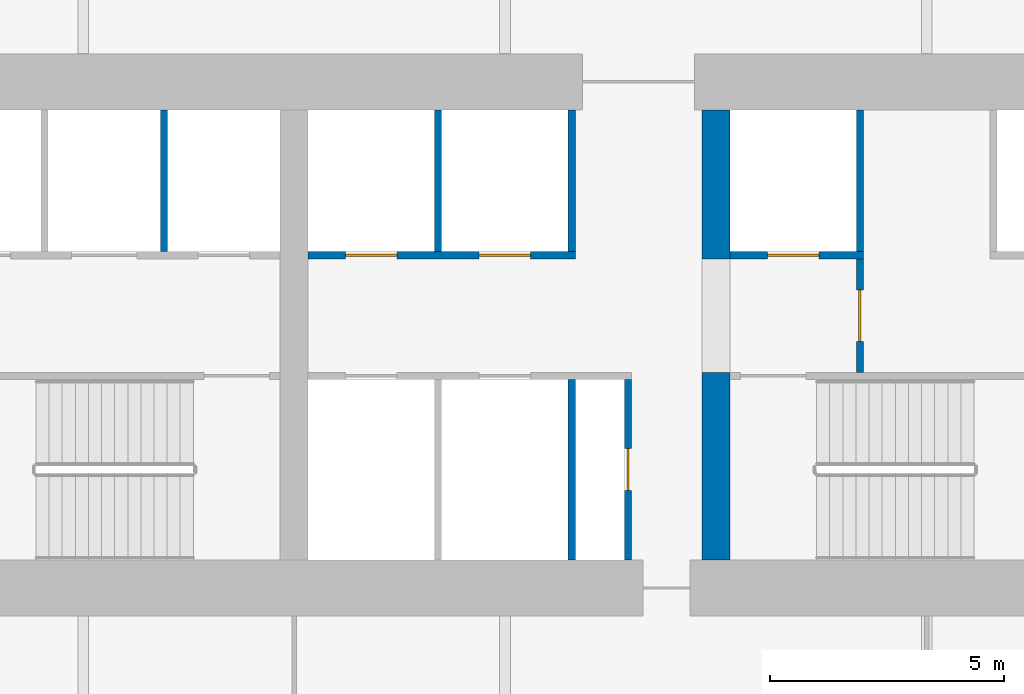
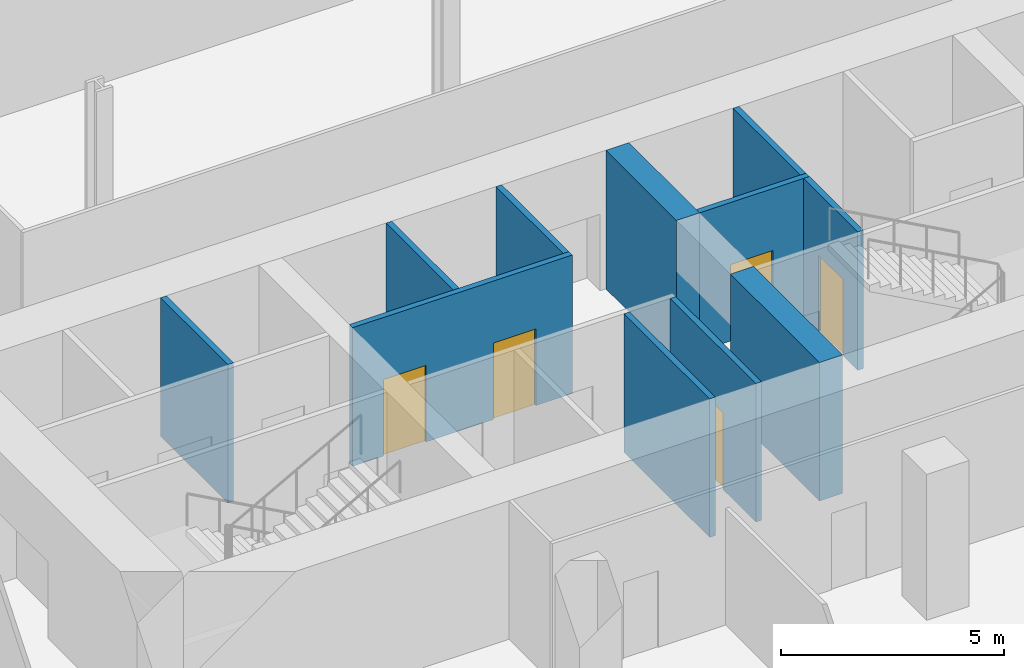
# One storey, part 4 of 15: 11 walls, 5 doors, 5 openings.
"""IFC4 building model written with IfcOpenShell, lengths in metres."""

from ifc_helpers import new_model, si_unit, direction, frame, frame_2d, origin, place, context, subcontext, project, spatial, rectangle, extrude, material, layer, layer_set, type_object, element, fill, save


model = new_model("IFC4")

# Units and contexts
model_context = context("Model", 3, precision=1e-05, world=origin(), true_north=direction((0.0, 1.0)))
body_context = subcontext(model_context, "Body", "Model", "MODEL_VIEW")
ifc_project = project(units=[si_unit("LENGTHUNIT", "METRE"), si_unit("AREAUNIT", "SQUARE_METRE"), si_unit("VOLUMEUNIT", "CUBIC_METRE"), si_unit("PLANEANGLEUNIT", "RADIAN"), si_unit("MASSUNIT", "GRAM", prefix="KILO")], contexts=[model_context])

# Site, building, storey
site_placement = place(None, origin())
site = spatial("IfcSite", under=ifc_project, at=site_placement, CompositionType="ELEMENT")
building_placement = place(site_placement, origin())
building = spatial("IfcBuilding", under=site, at=building_placement, Name="Zellij Exchange Tower", CompositionType="ELEMENT")
storey_placement = place(building_placement, frame((0.0, 0.0, 92.5)))
storey = spatial("IfcBuildingStorey", under=building, at=storey_placement, Name="L19", CompositionType="ELEMENT", Elevation=92.5)

# Walls
ifc_material_1 = material(Name="Concrete C70/85", Category="concrete")
ifc_layer_1 = layer(ifc_material_1, 0.60009765625)
ifc_layer_set_1 = layer_set([ifc_layer_1], Name="Concrete C70/85")
wall_type_1 = type_object("IfcWallType", Name="CORE-CW 600 C70/85", PredefinedType="SHEAR", material=ifc_layer_set_1)
wall_1_placement = place(storey_placement, frame((-9.0, -12.800048828125, 0.0), z_axis=(0.0, 0.0, 1.0), x_axis=(0.0, 1.0, 0.0)))
element("IfcWall", 1, at=wall_1_placement, inside=storey, type_object=wall_type_1, Name="Core cross wall pier x -9 a L19", PredefinedType="SHEAR", context=body_context, shape_type="SweptSolid", body=[
    extrude(rectangle(XDim=4.0, YDim=0.60009765625, at=frame_2d((2.0, 0.0))), origin(), (0.0, 0.0, 1.0), 3.800048828125),
])
wall_2_placement = place(storey_placement, frame((-9.0, -6.375, 0.0), z_axis=(0.0, 0.0, 1.0), x_axis=(0.0, 1.0, 0.0)))
element("IfcWall", 2, at=wall_2_placement, inside=storey, type_object=wall_type_1, Name="Core cross wall pier x -9 b L19", PredefinedType="SHEAR", context=body_context, shape_type="SweptSolid", body=[
    extrude(rectangle(XDim=3.175048828125, YDim=0.60009765625, at=frame_2d((1.58740234375, 0.0))), origin(), (0.0, 0.0, 1.0), 3.800048828125),
])

# Wall, opening, door
ifc_material_2 = material(Name="Gypsum shaft wall system")
ifc_layer_2 = layer(ifc_material_2, 0.14990234375)
ifc_layer_set_2 = layer_set([ifc_layer_2], Name="Gypsum shaft wall system")
wall_type_2 = type_object("IfcWallType", Name="CORE-PW 150 Firefighting lobby wall", PredefinedType="PARTITIONING", material=ifc_layer_set_2)
wall_3_placement = place(storey_placement, frame((-5.925048828125, -8.800048828125, 0.0), z_axis=(0.0, 0.0, 1.0), x_axis=(0.0, 1.0, 0.0)))
wall_3 = element("IfcWall", 3, at=wall_3_placement, inside=storey, type_object=wall_type_2, Name="Firefighting lobby wall L19", PredefinedType="PARTITIONING", context=body_context, shape_type="SweptSolid", body=[
    extrude(rectangle(XDim=2.425048828125, YDim=0.14990234375, at=frame_2d((1.21240234375, 0.0))), origin(), (0.0, 0.0, 1.0), 3.800048828125),
])
opening_1_placement = place(wall_3_placement, frame((0.662109375, 0.0, 0.0)))
opening_1 = element("IfcOpeningElement", 4, at=opening_1_placement, cuts=wall_3, Name="Opening CA-10.15", PredefinedType="OPENING", context=body_context, shape_type="SweptSolid", body=[
    extrude(rectangle(XDim=1.10009765625, YDim=2.10009765625, at=frame_2d((0.550048828125, 1.050048828125))), frame((0.0, 0.0869140625, 0.0), z_axis=(0.0, -1.0, 0.0), x_axis=(1.0, 0.0, 0.0)), (0.0, 0.0, 1.0), 0.173828125),
])
ifc_material_3 = material(Name="Hollow metal fire door")
door_type_1 = type_object("IfcDoorType", Name="CORE-D F Firefighting lobby door 1100x2100 1 HR", OperationType="NOTDEFINED", PredefinedType="DOOR", material=ifc_material_3)
door_1_placement = place(opening_1_placement, origin())
door_1 = element("IfcDoor", 5, at=door_1_placement, inside=storey, type_object=door_type_1, Name="Firefighting lobby door CA-10.15", OperationType="SINGLE_SWING_LEFT", OverallHeight=2.10009765625, OverallWidth=1.10009765625, PredefinedType="DOOR", context=body_context, shape_type="SweptSolid", body=[
    extrude(rectangle(XDim=1.10009765625, YDim=2.10009765625, at=frame_2d((0.550048828125, 1.050048828125))), frame((0.0, 0.02490234375, 0.0), z_axis=(0.0, -1.0, 0.0), x_axis=(1.0, 0.0, 0.0)), (0.0, 0.0, 1.0), 0.050048828125),
])
fill(opening_1, door_1)

ifc_material_4 = material(Name="Gypsum board partition")
ifc_layer_3 = layer(ifc_material_4, 0.14990234375)
ifc_layer_set_3 = layer_set([ifc_layer_3], Name="Gypsum board partition")
wall_type_3 = type_object("IfcWallType", Name="CORE-PW 150 Lift lobby wall", PredefinedType="PARTITIONING", material=ifc_layer_set_3)
wall_4_placement = place(storey_placement, frame((-10.875, -12.800048828125, 0.0), z_axis=(0.0, 0.0, 1.0), x_axis=(0.0, 1.0, 0.0)))
wall_4 = element("IfcWall", 6, at=wall_4_placement, inside=storey, type_object=wall_type_3, Name="Lift lobby wall L19", PredefinedType="PARTITIONING", context=body_context, shape_type="SweptSolid", body=[
    extrude(rectangle(XDim=3.85009765625, YDim=0.14990234375, at=frame_2d((1.925048828125, 0.0))), origin(), (0.0, 0.0, 1.0), 3.800048828125),
])
opening_2_placement = place(wall_4_placement, frame((1.47509765625, 0.0, 0.0)))
opening_2 = element("IfcOpeningElement", 7, at=opening_2_placement, cuts=wall_4, Name="Opening CA-10.10", PredefinedType="OPENING", context=body_context, shape_type="SweptSolid", body=[
    extrude(rectangle(XDim=0.89990234375, YDim=2.10009765625, at=frame_2d((0.449951171875, 1.050048828125))), frame((0.0, 0.0869140625, 0.0), z_axis=(0.0, -1.0, 0.0), x_axis=(1.0, 0.0, 0.0)), (0.0, 0.0, 1.0), 0.173828125),
])
door_type_2 = type_object("IfcDoorType", Name="CORE-D RD Riser door 900x2100 1.5 HR", OperationType="NOTDEFINED", PredefinedType="DOOR", material=ifc_material_3)
door_2_placement = place(opening_2_placement, origin())
door_2 = element("IfcDoor", 8, at=door_2_placement, inside=storey, type_object=door_type_2, Name="Riser door CA-10.10", OperationType="SINGLE_SWING_RIGHT", OverallHeight=2.10009765625, OverallWidth=0.89990234375, PredefinedType="DOOR", context=body_context, shape_type="SweptSolid", body=[
    extrude(rectangle(XDim=0.89990234375, YDim=2.10009765625, at=frame_2d((0.449951171875, 1.050048828125))), frame((0.0, 0.02490234375, 0.0), z_axis=(0.0, -1.0, 0.0), x_axis=(1.0, 0.0, 0.0)), (0.0, 0.0, 1.0), 0.050048828125),
])
fill(opening_2, door_2)

# Walls
ifc_layer_4 = layer(ifc_material_2, 0.14990234375)
ifc_layer_set_4 = layer_set([ifc_layer_4], Name="Gypsum shaft wall system")
wall_type_4 = type_object("IfcWallType", Name="CORE-PW 150 Lift shaft wall", PredefinedType="PARTITIONING", material=ifc_layer_set_4)
for number, where, z_axis, x_axis, name in (
    (9, (-20.77490234375, -6.22509765625, 0.0), (0.0, 0.0, 1.0), (0.0, 1.0, 0.0), "Lift shaft wall L19"),
    (10, (-12.074951171875, -6.22509765625, 0.0), (0.0, 0.0, 1.0), (0.0, 1.0, 0.0), "Lift shaft wall L19"),
    (11, (-14.925048828125, -6.22509765625, 0.0), (0.0, 0.0, 1.0), (0.0, 1.0, 0.0), "Lift shaft wall L19"),
    (12, (-5.925048828125, -6.22509765625, 0.0), (0.0, 0.0, 1.0), (0.0, 1.0, 0.0), "Lift shaft wall L19"),
):
    element("IfcWall", number, at=place(storey_placement, frame(where, z_axis=z_axis, x_axis=x_axis)), inside=storey, type_object=wall_type_4, Name=name, PredefinedType="PARTITIONING", context=body_context, shape_type="SweptSolid", body=[
        extrude(rectangle(XDim=3.025146484375, YDim=0.14990234375, at=frame_2d((1.5126953125, 0.0))), origin(), (0.0, 0.0, 1.0), 3.800048828125),
    ])
wall_5_placement = place(storey_placement, frame((-12.074951171875, -12.800048828125, 0.0), z_axis=(0.0, 0.0, 1.0), x_axis=(0.0, 1.0, 0.0)))
element("IfcWall", 13, at=wall_5_placement, inside=storey, type_object=wall_type_4, Name="Lift shaft wall L19", PredefinedType="PARTITIONING", context=body_context, shape_type="SweptSolid", body=[
    extrude(rectangle(XDim=3.85009765625, YDim=0.14990234375, at=frame_2d((1.925048828125, 0.0))), origin(), (0.0, 0.0, 1.0), 3.800048828125),
])

# Wall, openings, doors
wall_6_placement = place(storey_placement, frame((-17.699951171875, -6.300048828125, 0.0), z_axis=(0.0, 0.0, 1.0), x_axis=(1.0, 0.0, 0.0)))
wall_6 = element("IfcWall", 14, at=wall_6_placement, inside=storey, type_object=wall_type_4, Name="Lift shaft wall L19", PredefinedType="PARTITIONING", context=body_context, shape_type="SweptSolid", body=[
    extrude(rectangle(XDim=5.699951171875, YDim=0.14990234375, at=frame_2d((2.85009765625, 0.0))), origin(), (0.0, 0.0, 1.0), 3.800048828125),
])
opening_3_placement = place(wall_6_placement, frame((0.800048828125, 0.0, 0.0)))
opening_3 = element("IfcOpeningElement", 15, at=opening_3_placement, cuts=wall_6, Name="Opening CA-10.07", PredefinedType="OPENING", context=body_context, shape_type="SweptSolid", body=[
    extrude(rectangle(XDim=1.10009765625, YDim=2.10009765625, at=frame_2d((0.550048828125, 1.050048828125))), frame((0.0, 0.0869140625, 0.0), z_axis=(0.0, -1.0, 0.0), x_axis=(1.0, 0.0, 0.0)), (0.0, 0.0, 1.0), 0.173828125),
])
opening_4_placement = place(wall_6_placement, frame((3.64990234375, 0.0, 0.0)))
opening_4 = element("IfcOpeningElement", 16, at=opening_4_placement, cuts=wall_6, Name="Opening CA-10.09", PredefinedType="OPENING", context=body_context, shape_type="SweptSolid", body=[
    extrude(rectangle(XDim=1.10009765625, YDim=2.10009765625, at=frame_2d((0.550048828125, 1.050048828125))), frame((0.0, 0.0869140625, 0.0), z_axis=(0.0, -1.0, 0.0), x_axis=(1.0, 0.0, 0.0)), (0.0, 0.0, 1.0), 0.173828125),
])
door_type_3 = type_object("IfcDoorType", Name="CORE-D LD Lift landing door 1100x2100 1.5 HR", OperationType="NOTDEFINED", PredefinedType="DOOR", material=ifc_material_3)
door_3_placement = place(opening_3_placement, origin())
door_3 = element("IfcDoor", 17, at=door_3_placement, inside=storey, type_object=door_type_3, Name="Lift landing door CA-10.07", OperationType="SLIDING_TO_LEFT", OverallHeight=2.10009765625, OverallWidth=1.10009765625, PredefinedType="DOOR", context=body_context, shape_type="SweptSolid", body=[
    extrude(rectangle(XDim=1.10009765625, YDim=2.10009765625, at=frame_2d((0.550048828125, 1.050048828125))), frame((0.0, 0.02490234375, 0.0), z_axis=(0.0, -1.0, 0.0), x_axis=(1.0, 0.0, 0.0)), (0.0, 0.0, 1.0), 0.050048828125),
])
fill(opening_3, door_3)
door_4_placement = place(opening_4_placement, origin())
door_4 = element("IfcDoor", 18, at=door_4_placement, inside=storey, type_object=door_type_3, Name="Lift landing door CA-10.09", OperationType="SLIDING_TO_LEFT", OverallHeight=2.10009765625, OverallWidth=1.10009765625, PredefinedType="DOOR", context=body_context, shape_type="SweptSolid", body=[
    extrude(rectangle(XDim=1.10009765625, YDim=2.10009765625, at=frame_2d((0.550048828125, 1.050048828125))), frame((0.0, 0.02490234375, 0.0), z_axis=(0.0, -1.0, 0.0), x_axis=(1.0, 0.0, 0.0)), (0.0, 0.0, 1.0), 0.050048828125),
])
fill(opening_4, door_4)

# Wall, opening, door
wall_7_placement = place(storey_placement, frame((-8.699951171875, -6.300048828125, 0.0), z_axis=(0.0, 0.0, 1.0), x_axis=(1.0, 0.0, 0.0)))
wall_7 = element("IfcWall", 19, at=wall_7_placement, inside=storey, type_object=wall_type_4, Name="Lift shaft wall L19", PredefinedType="PARTITIONING", context=body_context, shape_type="SweptSolid", body=[
    extrude(rectangle(XDim=2.849853515625, YDim=0.14990234375, at=frame_2d((1.4248046875, 0.0))), origin(), (0.0, 0.0, 1.0), 3.800048828125),
])
opening_5_placement = place(wall_7_placement, frame((0.800048828125, 0.0, 0.0)))
opening_5 = element("IfcOpeningElement", 20, at=opening_5_placement, cuts=wall_7, Name="Opening CA-10.14", PredefinedType="OPENING", context=body_context, shape_type="SweptSolid", body=[
    extrude(rectangle(XDim=1.10009765625, YDim=2.10009765625, at=frame_2d((0.550048828125, 1.050048828125))), frame((0.0, 0.0869140625, 0.0), z_axis=(0.0, -1.0, 0.0), x_axis=(1.0, 0.0, 0.0)), (0.0, 0.0, 1.0), 0.173828125),
])
door_5_placement = place(opening_5_placement, origin())
door_5 = element("IfcDoor", 21, at=door_5_placement, inside=storey, type_object=door_type_3, Name="Lift landing door CA-10.14", OperationType="SLIDING_TO_RIGHT", OverallHeight=2.10009765625, OverallWidth=1.10009765625, PredefinedType="DOOR", context=body_context, shape_type="SweptSolid", body=[
    extrude(rectangle(XDim=1.10009765625, YDim=2.10009765625, at=frame_2d((0.550048828125, 1.050048828125))), frame((0.0, 0.02490234375, 0.0), z_axis=(0.0, -1.0, 0.0), x_axis=(1.0, 0.0, 0.0)), (0.0, 0.0, 1.0), 0.050048828125),
])
fill(opening_5, door_5)

save(model, "model.ifc")
